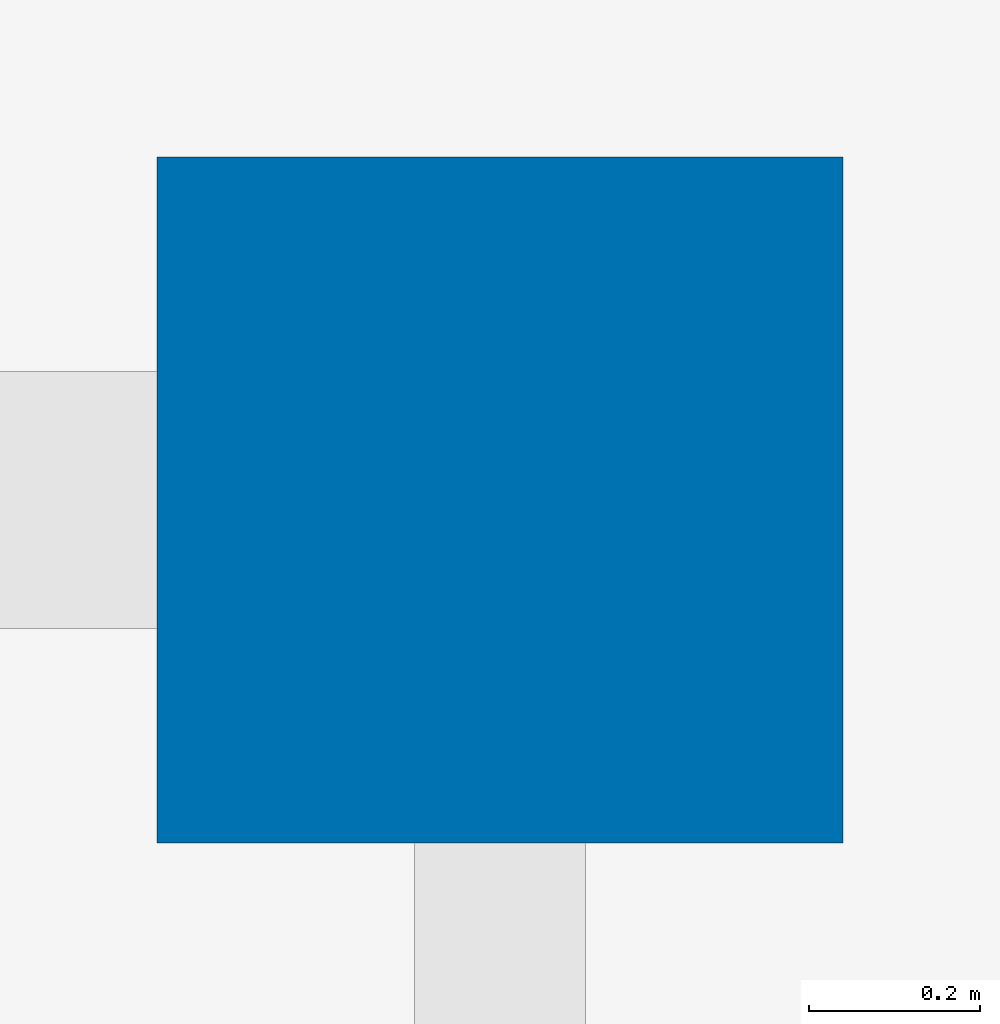
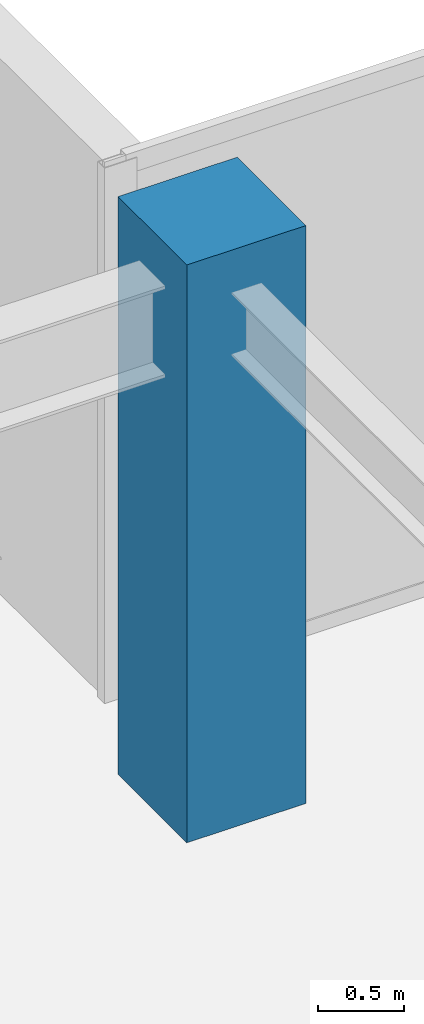
# One storey, part 4 of 33: 1 column.
"""IFC4 building model written with IfcOpenShell, lengths in metres."""

from ifc_helpers import new_model, si_unit, direction, frame, origin, origin_2d, place, context, subcontext, project, spatial, rectangle, extrude, source, transform, mapped, material, material_profile, profile_set, type_object, type_shapes, element, save


model = new_model("IFC4")

# Units and contexts
model_context = context("Model", 3, precision=1e-05, world=origin(), true_north=direction((0.0, 1.0)))
body_context = subcontext(model_context, "Body", "Model", "MODEL_VIEW")
ifc_project = project(units=[si_unit("LENGTHUNIT", "METRE"), si_unit("AREAUNIT", "SQUARE_METRE"), si_unit("VOLUMEUNIT", "CUBIC_METRE"), si_unit("PLANEANGLEUNIT", "RADIAN"), si_unit("MASSUNIT", "GRAM", prefix="KILO")], contexts=[model_context])

# Site, building, storey
site_placement = place(None, origin())
site = spatial("IfcSite", under=ifc_project, at=site_placement, CompositionType="ELEMENT")
building_placement = place(site_placement, origin())
building = spatial("IfcBuilding", under=site, at=building_placement, Name="Haelvirn Gate Laboratories", CompositionType="ELEMENT")
storey_placement = place(building_placement, frame((0.0, 0.0, 209.60009765625)))
storey = spatial("IfcBuildingStorey", under=building, at=storey_placement, Name="L50", CompositionType="ELEMENT", Elevation=209.60009765625)

# Column
ifc_material = material(Name="Concrete C50/60", Category="concrete")
ifc_material_profile = material_profile(ifc_material, rectangle(XDim=0.800048828125, YDim=0.800048828125, at=origin_2d()), Name="RC-800x800")
ifc_profile_set = profile_set([ifc_material_profile], Name="Concrete C50/60")
column_type = type_object("IfcColumnType", Name="COL-RC-800", PredefinedType="COLUMN", material=ifc_profile_set)
shared_shape = source(origin(), body_context, "Body", "SweptSolid", [
    extrude(rectangle(XDim=0.800048828125, YDim=0.800048828125, at=origin_2d()), origin(), (0.0, 0.0, 1.0), 4.099853515625),
])
type_shapes(column_type, [shared_shape])
column_placement = place(storey_placement, frame((67.39990234375, 41.60009765625, 0.0), z_axis=(0.0, 0.0, 1.0), x_axis=(1.0, 0.0, 0.0)))
element("IfcColumn", 1, at=column_placement, inside=storey, type_object=column_type, Name="L50 Column 10G", PredefinedType="COLUMN", context=body_context, shape_type="MappedRepresentation", body=[
    mapped(shared_shape, transform((0.0, 0.0, 0.0), scale=1.0)),
])

save(model, "model.ifc")
